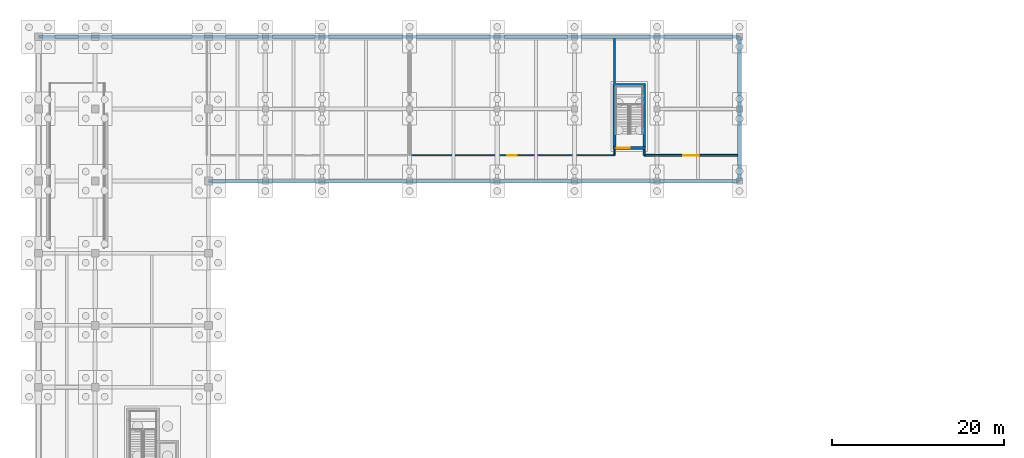
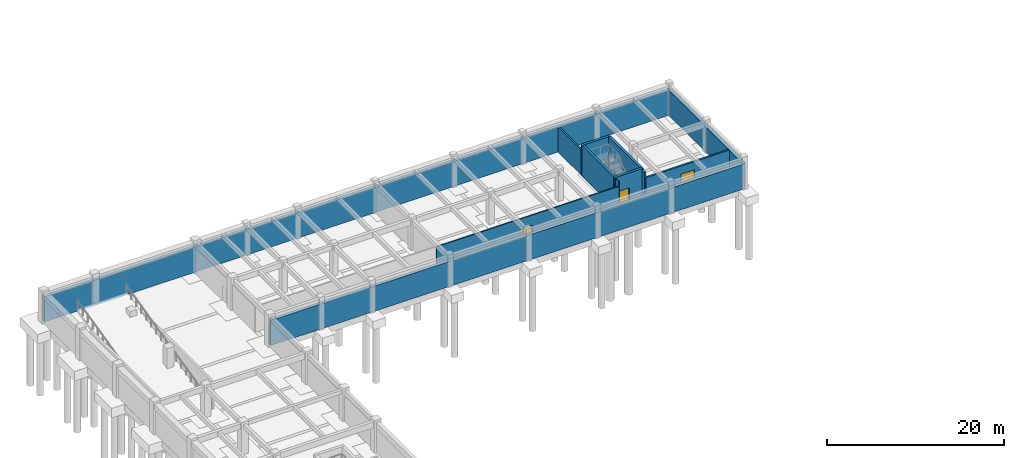
# One storey, part 20 of 28: 12 walls, 3 doors, 3 openings.
"""IFC4 building model written with IfcOpenShell, lengths in metres."""

from ifc_helpers import new_model, si_unit, direction, frame, frame_2d, origin, place, context, subcontext, project, spatial, rectangle, extrude, material, layer, layer_set, type_object, element, fill, save


model = new_model("IFC4")

# Units and contexts
model_context = context("Model", 3, precision=1e-05, world=origin(), true_north=direction((0.0, 1.0)))
body_context = subcontext(model_context, "Body", "Model", "MODEL_VIEW")
ifc_project = project(units=[si_unit("LENGTHUNIT", "METRE"), si_unit("AREAUNIT", "SQUARE_METRE"), si_unit("VOLUMEUNIT", "CUBIC_METRE"), si_unit("PLANEANGLEUNIT", "RADIAN"), si_unit("MASSUNIT", "GRAM", prefix="KILO")], contexts=[model_context])

# Site, building, storey
site_placement = place(None, origin())
site = spatial("IfcSite", under=ifc_project, at=site_placement, CompositionType="ELEMENT")
building_placement = place(site_placement, origin())
building = spatial("IfcBuilding", under=site, at=building_placement, Name="Miralva Faculty of Natural Sciences", CompositionType="ELEMENT")
storey_placement = place(building_placement, frame((0.0, 0.0, -4.5)))
storey = spatial("IfcBuildingStorey", under=building, at=storey_placement, Name="B1", CompositionType="ELEMENT", Elevation=-4.5)

# Wall, opening, door
ifc_material_1 = material(Name="Concrete C40/50", Category="concrete")
ifc_layer_1 = layer(ifc_material_1, 0.300048828125, Name="WL-CW03")
ifc_layer_set_1 = layer_set([ifc_layer_1], Name="Concrete C40/50")
wall_type_1 = type_object("IfcWallType", Name="WL-CW03", PredefinedType="SHEAR", material=ifc_layer_set_1)
wall_1_placement = place(storey_placement, frame((69.89990234375, 104.050048828125, 0.0), z_axis=(0.0, 0.0, 1.0), x_axis=(1.0, 0.0, 0.0)))
wall_1 = element("IfcWall", 1, at=wall_1_placement, inside=storey, type_object=wall_type_1, Name="Core C5 shear wall south B1", PredefinedType="SHEAR", context=body_context, shape_type="SweptSolid", body=[
    extrude(rectangle(XDim=3.75, YDim=0.300048828125, at=frame_2d((1.875, 0.0))), origin(), (0.0, 0.0, 1.0), 4.280029296875),
])
opening_1_placement = place(wall_1_placement, frame((0.39990234375, 0.0, 0.0)))
opening_1 = element("IfcOpeningElement", 2, at=opening_1_placement, cuts=wall_1, Name="Opening D-11", PredefinedType="OPENING", context=body_context, shape_type="SweptSolid", body=[
    extrude(rectangle(XDim=1.5, YDim=2.199951171875, at=frame_2d((0.75, 1.10009765625))), frame((0.0, 0.159912109375, 0.0), z_axis=(0.0, -1.0, 0.0), x_axis=(1.0, 0.0, 0.0)), (0.0, 0.0, 1.0), 0.320068359375),
])
ifc_material_2 = material(Name="Galvanised steel", Category="steel")
door_type_1 = type_object("IfcDoorType", Name="DR-DI11", OperationType="DOUBLE_DOOR_SINGLE_SWING", PredefinedType="DOOR", material=ifc_material_2)
door_1_placement = place(opening_1_placement, frame((1.5, 0.0, 0.0), z_axis=(0.0, 0.0, 1.0), x_axis=(-1.0, 0.0, 0.0)))
door_1 = element("IfcDoor", 3, at=door_1_placement, inside=storey, type_object=door_type_1, Name="Protected exit stair door Core C5 B1", OperationType="DOUBLE_DOOR_SINGLE_SWING", OverallHeight=2.199951171875, OverallWidth=1.5, PredefinedType="DOOR", context=body_context, shape_type="SweptSolid", body=[
    extrude(rectangle(XDim=1.5, YDim=2.199951171875, at=frame_2d((0.75, 1.10009765625))), frame((0.0, 0.02490234375, 0.0), z_axis=(0.0, -1.0, 0.0), x_axis=(1.0, 0.0, 0.0)), (0.0, 0.0, 1.0), 0.050048828125),
])
fill(opening_1, door_1)

# Walls
wall_2_placement = place(storey_placement, frame((69.89990234375, 111.39990234375, 0.0), z_axis=(0.0, 0.0, 1.0), x_axis=(1.0, 0.0, 0.0)))
element("IfcWall", 4, at=wall_2_placement, inside=storey, type_object=wall_type_1, Name="Core C5 shear wall north B1", PredefinedType="SHEAR", context=body_context, shape_type="SweptSolid", body=[
    extrude(rectangle(XDim=3.75, YDim=0.300048828125, at=frame_2d((1.875, 0.0))), origin(), (0.0, 0.0, 1.0), 4.280029296875),
])
for number, where, z_axis, x_axis, name in (
    (5, (70.050048828125, 104.199951171875, 0.0), (0.0, 0.0, 1.0), (0.0, 1.0, 0.0), "Core C5 shear wall west B1"),
    (6, (73.5, 104.199951171875, 0.0), (0.0, 0.0, 1.0), (0.0, 1.0, 0.0), "Core C5 shear wall east B1"),
):
    element("IfcWall", number, at=place(storey_placement, frame(where, z_axis=z_axis, x_axis=x_axis)), inside=storey, type_object=wall_type_1, Name=name, PredefinedType="SHEAR", context=body_context, shape_type="SweptSolid", body=[
        extrude(rectangle(XDim=7.050048828125, YDim=0.300048828125, at=frame_2d((3.52490234375, 0.0))), origin(), (0.0, 0.0, 1.0), 4.280029296875),
    ])
ifc_material_3 = material(Name="Concrete C35/45", Category="concrete")
ifc_layer_2 = layer(ifc_material_3, 0.219970703125, Name="WL-PT01")
ifc_layer_set_2 = layer_set([ifc_layer_2], Name="Concrete C35/45")
wall_type_2 = type_object("IfcWallType", Name="WL-PT01", PredefinedType="PARTITIONING", material=ifc_layer_set_2)
wall_3_placement = place(storey_placement, frame((70.050048828125, 111.6298828125, 0.0), z_axis=(0.0, 0.0, 1.0), x_axis=(0.0, 1.0, 0.0)))
element("IfcWall", 7, at=wall_3_placement, inside=storey, type_object=wall_type_2, Name="Interior partition PT-01 B1-30", PredefinedType="PARTITIONING", context=body_context, shape_type="SweptSolid", body=[
    extrude(rectangle(XDim=5.14013671875, YDim=0.219970703125, at=frame_2d((2.570068359375, 0.0))), origin(), (0.0, 0.0, 1.0), 3.47509765625),
])

# Wall, opening, door
wall_4_placement = place(storey_placement, frame((73.530029296875, 103.199951171875, 0.0), z_axis=(0.0, 0.0, 1.0), x_axis=(1.0, 0.0, 0.0)))
wall_4 = element("IfcWall", 8, at=wall_4_placement, inside=storey, type_object=wall_type_2, Name="Interior partition PT-01 B1-33", PredefinedType="PARTITIONING", context=body_context, shape_type="SweptSolid", body=[
    extrude(rectangle(XDim=10.840087890625, YDim=0.219970703125, at=frame_2d((5.419921875, 0.0))), origin(), (0.0, 0.0, 1.0), 3.52490234375),
])
opening_2_placement = place(wall_4_placement, frame((4.52001953125, 0.0, 0.0)))
opening_2 = element("IfcOpeningElement", 9, at=opening_2_placement, cuts=wall_4, Name="Opening D-16", PredefinedType="OPENING", context=body_context, shape_type="SweptSolid", body=[
    extrude(rectangle(XDim=1.800048828125, YDim=2.39990234375, at=frame_2d((0.89990234375, 1.199951171875))), frame((0.0, 0.119873046875, 0.0), z_axis=(0.0, -1.0, 0.0), x_axis=(1.0, 0.0, 0.0)), (0.0, 0.0, 1.0), 0.239990234375),
])
door_type_2 = type_object("IfcDoorType", Name="DR-DI16", OperationType="DOUBLE_DOOR_SINGLE_SWING", PredefinedType="DOOR", material=ifc_material_2)
door_2_placement = place(opening_2_placement, origin())
door_2 = element("IfcDoor", 10, at=door_2_placement, inside=storey, type_object=door_type_2, Name="Interior door D-16 B1-17", OperationType="DOUBLE_DOOR_SINGLE_SWING", OverallHeight=2.39990234375, OverallWidth=1.800048828125, PredefinedType="DOOR", context=body_context, shape_type="SweptSolid", body=[
    extrude(rectangle(XDim=1.800048828125, YDim=2.39990234375, at=frame_2d((0.89990234375, 1.199951171875))), frame((0.0, 0.02490234375, 0.0), z_axis=(0.0, -1.0, 0.0), x_axis=(1.0, 0.0, 0.0)), (0.0, 0.0, 1.0), 0.050048828125),
])
fill(opening_2, door_2)

# Walls
wall_5_placement = place(storey_placement, frame((73.5, 103.22998046875, 0.0), z_axis=(0.0, 0.0, 1.0), x_axis=(0.0, 1.0, 0.0)))
element("IfcWall", 11, at=wall_5_placement, inside=storey, type_object=wall_type_2, Name="Interior partition PT-01 B1-34", PredefinedType="PARTITIONING", context=body_context, shape_type="SweptSolid", body=[
    extrude(rectangle(XDim=0.590087890625, YDim=0.219970703125, at=frame_2d((0.294921875, 0.0))), origin(), (0.0, 0.0, 1.0), 4.179931640625),
])
ifc_material_4 = material(Name="Gypsum plasterboard")
ifc_layer_3 = layer(ifc_material_4, 0.139892578125, Name="WL-PT04")
ifc_layer_set_3 = layer_set([ifc_layer_3], Name="Gypsum plasterboard")
wall_type_3 = type_object("IfcWallType", Name="WL-PT04", PredefinedType="PARTITIONING", material=ifc_layer_set_3)
wall_6_placement = place(storey_placement, frame((70.050048828125, 103.22998046875, 0.0), z_axis=(0.0, 0.0, 1.0), x_axis=(0.0, 1.0, 0.0)))
element("IfcWall", 12, at=wall_6_placement, inside=storey, type_object=wall_type_3, Name="Interior partition PT-04 B1-31", PredefinedType="PARTITIONING", context=body_context, shape_type="SweptSolid", body=[
    extrude(rectangle(XDim=0.590087890625, YDim=0.139892578125, at=frame_2d((0.294921875, 0.0))), origin(), (0.0, 0.0, 1.0), 4.179931640625),
])

# Wall, opening, door
wall_7_placement = place(storey_placement, frame((46.22998046875, 103.199951171875, 0.0), z_axis=(0.0, 0.0, 1.0), x_axis=(1.0, 0.0, 0.0)))
wall_7 = element("IfcWall", 13, at=wall_7_placement, inside=storey, type_object=wall_type_3, Name="Interior partition PT-04 B1-32", PredefinedType="PARTITIONING", context=body_context, shape_type="SweptSolid", body=[
    extrude(rectangle(XDim=23.7900390625, YDim=0.139892578125, at=frame_2d((11.89501953125, 0.0))), origin(), (0.0, 0.0, 1.0), 3.52490234375),
])
opening_3_placement = place(wall_7_placement, frame((11.35498046875, 0.0, 0.0)))
opening_3 = element("IfcOpeningElement", 14, at=opening_3_placement, cuts=wall_7, Name="Opening D-32", PredefinedType="OPENING", context=body_context, shape_type="SweptSolid", body=[
    extrude(rectangle(XDim=1.080078125, YDim=2.14990234375, at=frame_2d((0.5400390625, 1.074951171875))), frame((0.0, 0.079833984375, 0.0), z_axis=(0.0, -1.0, 0.0), x_axis=(1.0, 0.0, 0.0)), (0.0, 0.0, 1.0), 0.159912109375),
])
ifc_material_5 = material(Name="Anodised aluminium", Category="aluminium")
door_type_3 = type_object("IfcDoorType", Name="DR-DI32", OperationType="NOTDEFINED", PredefinedType="DOOR", material=ifc_material_5)
door_3_placement = place(opening_3_placement, origin())
door_3 = element("IfcDoor", 15, at=door_3_placement, inside=storey, type_object=door_type_3, Name="Interior door D-32 B1-16", OperationType="SINGLE_SWING_LEFT", OverallHeight=2.14990234375, OverallWidth=1.080078125, PredefinedType="DOOR", context=body_context, shape_type="SweptSolid", body=[
    extrude(rectangle(XDim=1.080078125, YDim=2.14990234375, at=frame_2d((0.5400390625, 1.074951171875))), frame((0.0, 0.02490234375, 0.0), z_axis=(0.0, -1.0, 0.0), x_axis=(1.0, 0.0, 0.0)), (0.0, 0.0, 1.0), 0.050048828125),
])
fill(opening_3, door_3)

# Walls
ifc_layer_4 = layer(ifc_material_1, 0.419921875, Name="WL-RW01")
ifc_layer_set_4 = layer_set([ifc_layer_4], Name="Concrete C40/50")
wall_type_4 = type_object("IfcWallType", Name="WL-RW01", PredefinedType="STANDARD", material=ifc_layer_set_4)
wall_8_placement = place(storey_placement, frame((22.794921875, 100.199951171875, 0.0), z_axis=(0.0, 0.0, 1.0), x_axis=(1.0, 0.0, 0.0)))
element("IfcWall", 16, at=wall_8_placement, inside=storey, type_object=wall_type_4, Name="Exterior wall B1-5", PredefinedType="STANDARD", context=body_context, shape_type="SweptSolid", body=[
    extrude(rectangle(XDim=61.81005859375, YDim=0.419921875, at=frame_2d((30.905029296875, 0.0))), origin(), (0.0, 0.0, 1.0), 3.449951171875),
])
wall_9_placement = place(storey_placement, frame((84.60009765625, 100.195068359375, 0.0), z_axis=(0.0, 0.0, 1.0), x_axis=(0.0, 1.0, 0.0)))
element("IfcWall", 17, at=wall_9_placement, inside=storey, type_object=wall_type_4, Name="Exterior wall B1-6", PredefinedType="STANDARD", context=body_context, shape_type="SweptSolid", body=[
    extrude(rectangle(XDim=16.809814453125, YDim=0.419921875, at=frame_2d((8.40478515625, 0.0))), origin(), (0.0, 0.0, 1.0), 3.449951171875),
])
wall_10_placement = place(storey_placement, frame((2.9951171875, 117.0, 0.0), z_axis=(0.0, 0.0, 1.0), x_axis=(1.0, 0.0, 0.0)))
element("IfcWall", 18, at=wall_10_placement, inside=storey, type_object=wall_type_4, Name="Exterior wall B1-7", PredefinedType="STANDARD", context=body_context, shape_type="SweptSolid", body=[
    extrude(rectangle(XDim=81.60986328125, YDim=0.419921875, at=frame_2d((40.804931640625, 0.0))), origin(), (0.0, 0.0, 1.0), 3.449951171875),
])

save(model, "model.ifc")
